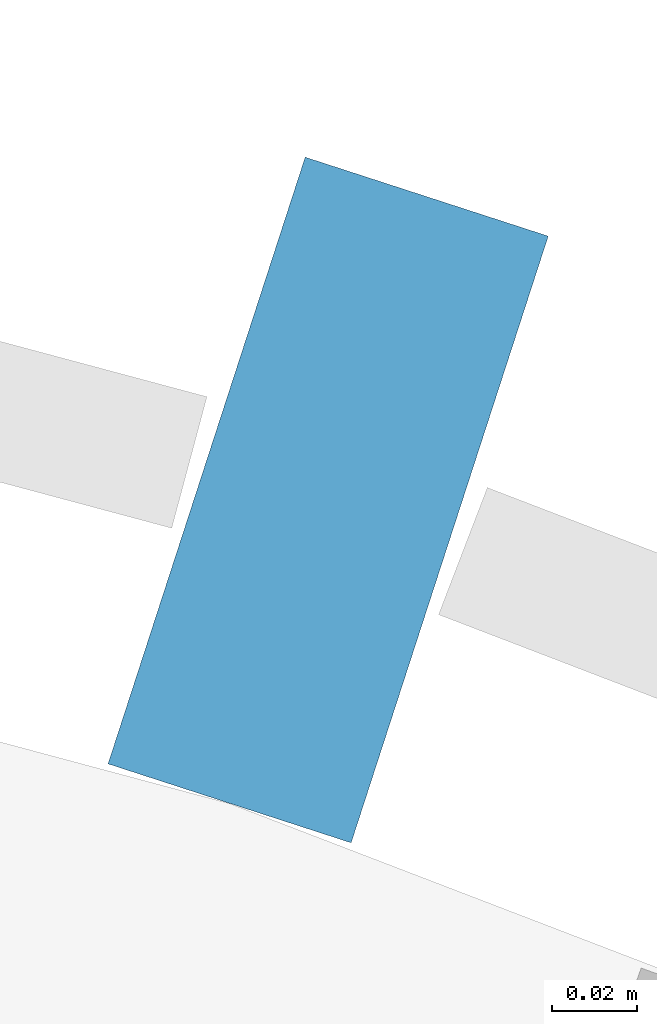
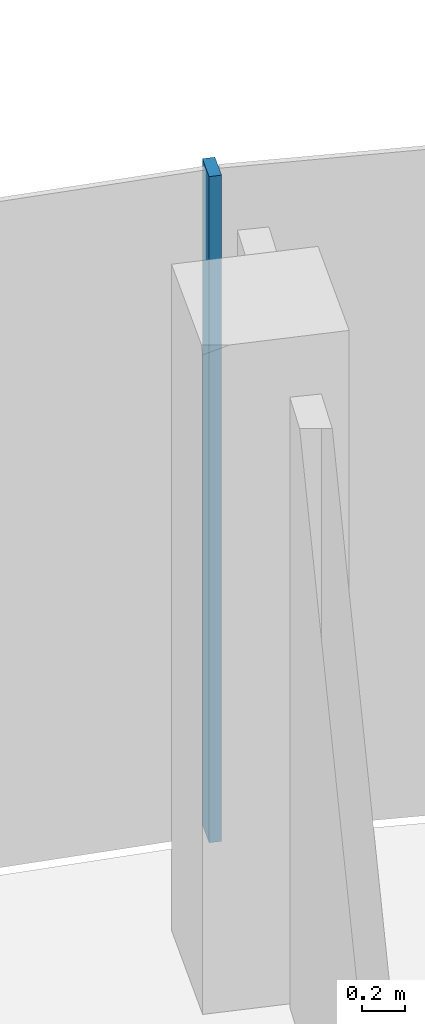
# One storey, part 10 of 18: 1 member, 1 element without a shape of its own.
"""IFC4 building model written with IfcOpenShell, lengths in metres."""

from ifc_helpers import new_model, si_unit, direction, frame, origin, origin_2d, place, context, subcontext, project, spatial, rectangle, extrude, material, layer, layer_set, material_profile, profile_set, type_object, element, aggregate, save


model = new_model("IFC4")

# Units and contexts
model_context = context("Model", 3, precision=1e-05, world=origin(), true_north=direction((0.0, 1.0)))
body_context = subcontext(model_context, "Body", "Model", "MODEL_VIEW")
ifc_project = project(units=[si_unit("LENGTHUNIT", "METRE"), si_unit("AREAUNIT", "SQUARE_METRE"), si_unit("VOLUMEUNIT", "CUBIC_METRE"), si_unit("PLANEANGLEUNIT", "RADIAN"), si_unit("MASSUNIT", "GRAM", prefix="KILO")], contexts=[model_context])

# Site, building, storey
site_placement = place(None, origin())
site = spatial("IfcSite", under=ifc_project, at=site_placement, CompositionType="ELEMENT")
building_placement = place(site_placement, origin())
building = spatial("IfcBuilding", under=site, at=building_placement, Name="Stone Belt Terrace Tower", CompositionType="ELEMENT")
storey_placement = place(building_placement, frame((0.0, 0.0, 273.199951171875)))
storey = spatial("IfcBuildingStorey", under=building, at=storey_placement, Name="L66", CompositionType="ELEMENT", Elevation=273.199951171875)

# Curtain wall, member
ifc_material = material(Name="Aluminium 6063-T6 anodised frame", Category="aluminium")
ifc_layer = layer(ifc_material, 0.14990234375)
ifc_layer_set = layer_set([ifc_layer], Name="CW-A unitised convex-face curtain wall")
curtain_wall_type = type_object("IfcCurtainWallType", Name="CW-A unitised convex-face curtain wall", PredefinedType="NOTDEFINED", material=ifc_layer_set)
curtain_wall_placement = place(storey_placement, origin())
curtain_wall = element("IfcCurtainWall", 1, at=curtain_wall_placement, inside=storey, type_object=curtain_wall_type, Name="CW-A convex face L66", PredefinedType="NOTDEFINED")
ifc_material_profile = material_profile(ifc_material, rectangle(XDim=0.14990234375, YDim=0.06005859375, at=origin_2d()), Name="Aluminium 6063-T6 60x150")
ifc_profile_set = profile_set([ifc_material_profile], Name="Aluminium 6063-T6 anodised frame")
member_type = type_object("IfcMemberType", Name="CW-A mullion 60 x 150", PredefinedType="MULLION", material=ifc_profile_set)
member_placement = place(storey_placement, frame((20.57275390625, 63.316650390625, 0.0), z_axis=(0.0, 0.0, 1.0), x_axis=(-0.309016994375, -0.951056516295, 0.0)))
member = element("IfcMember", 2, at=member_placement, type_object=member_type, Name="CW-A mullion 5", PredefinedType="MULLION", context=body_context, shape_type="SweptSolid", body=[
    extrude(rectangle(XDim=0.14990234375, YDim=0.06005859375, at=origin_2d()), origin(), (0.0, 0.0, 1.0), 3.800048828125),
])
aggregate(curtain_wall, [member])

save(model, "model.ifc")
